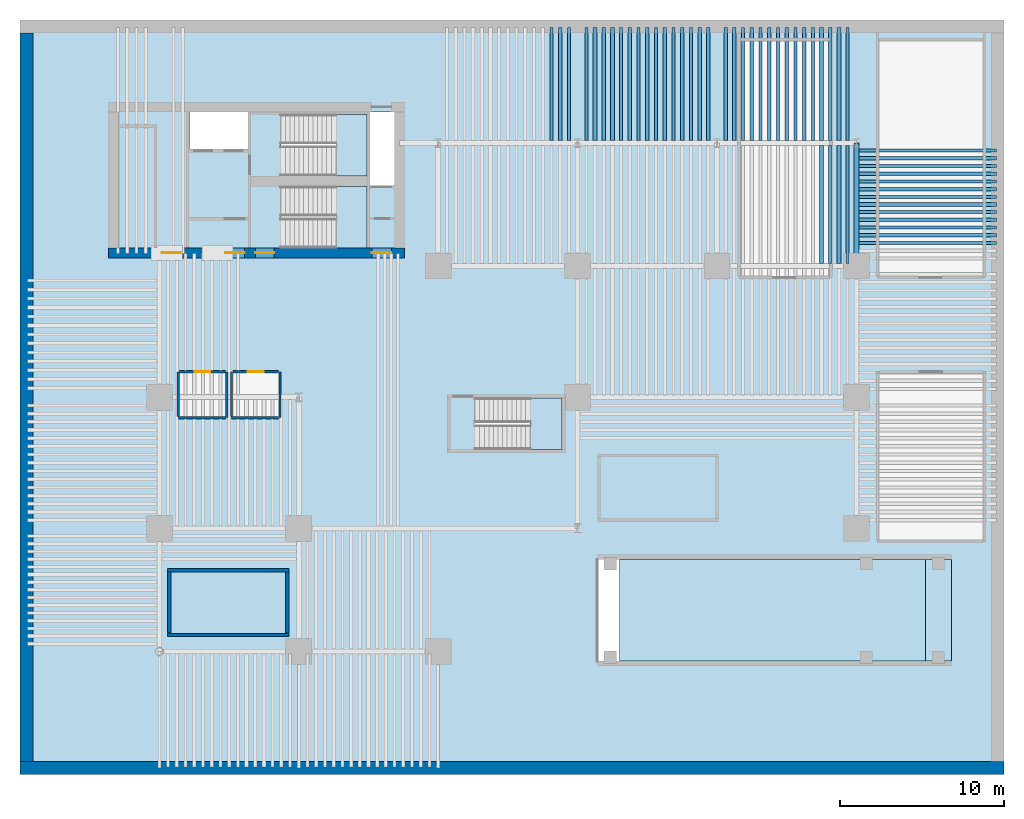
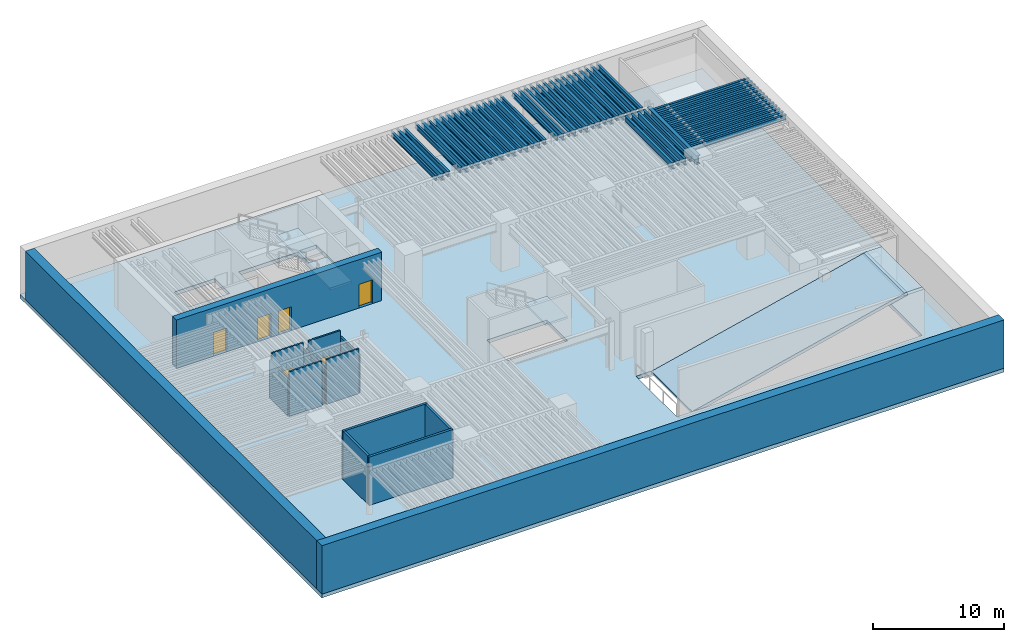
# One storey, part 3 of 9: 51 beams, 15 walls, 6 doors, 6 slabs, 6 openings, 3 elements without a shape of their own.
"""IFC4 building model written with IfcOpenShell, lengths in metres."""

from ifc_helpers import new_model, si_unit, direction, frame, frame_2d, origin, origin_2d, place, context, subcontext, project, spatial, polyline, rectangle, i_section, outline, extrude, material, layer, layer_set, material_profile, profile_set, type_object, element, fill, aggregate, save


model = new_model("IFC4")

# Units and contexts
model_context = context("Model", 3, precision=1e-05, world=origin(), true_north=direction((0.0, 1.0)))
body_context = subcontext(model_context, "Body", "Model", "MODEL_VIEW")
ifc_project = project(units=[si_unit("LENGTHUNIT", "METRE"), si_unit("AREAUNIT", "SQUARE_METRE"), si_unit("VOLUMEUNIT", "CUBIC_METRE"), si_unit("PLANEANGLEUNIT", "RADIAN"), si_unit("MASSUNIT", "GRAM", prefix="KILO")], contexts=[model_context])

# Site, building, storey
site_placement = place(None, origin())
site = spatial("IfcSite", under=ifc_project, at=site_placement, CompositionType="ELEMENT")
building_placement = place(site_placement, origin())
building = spatial("IfcBuilding", under=site, at=building_placement, Name="Caeloran Harvest Quay", CompositionType="ELEMENT")
storey_placement = place(building_placement, frame((0.0, 0.0, -9.0)))
storey = spatial("IfcBuildingStorey", under=building, at=storey_placement, Name="B02", CompositionType="ELEMENT", Elevation=-9.0)

# Beams
ifc_material_1 = material(Name="Steel S355J2", Category="steel")
ifc_material_profile_1 = material_profile(ifc_material_1, i_section(OverallWidth=0.300048828125, OverallDepth=0.800048828125, WebThickness=0.017578125, FlangeThickness=0.032958984375, FilletRadius=0.030029296875, at=origin_2d()), Name="HE 800 B")
ifc_profile_set_1 = profile_set([ifc_material_profile_1], Name="Steel S355J2")
beam_type_1 = type_object("IfcBeamType", Name="BM-PG-1-HE_800_B", PredefinedType="BEAM", material=ifc_profile_set_1)
beam_placement = place(storey_placement, frame((51.0, 31.0, 3.75), z_axis=(0.0, 1.0, 0.0), x_axis=(-1.0, 0.0, 0.0)))
element("IfcBeam", 1, at=beam_placement, inside=storey, type_object=beam_type_1, Name="B02 Primary North-South Girder X=51.0", PredefinedType="BEAM", context=body_context, shape_type="SweptSolid", body=[
    extrude(i_section(OverallWidth=0.300048828125, OverallDepth=0.800048828125, WebThickness=0.017578125, FlangeThickness=0.032958984375, FilletRadius=0.030029296875, at=origin_2d()), origin(), (0.0, 0.0, 1.0), 7.5),
])
ifc_material_profile_2 = material_profile(ifc_material_1, i_section(OverallWidth=0.219970703125, OverallDepth=0.60009765625, WebThickness=0.011962890625, FlangeThickness=0.01904296875, FilletRadius=0.02392578125, at=origin_2d()), Name="IPE 600")
ifc_profile_set_2 = profile_set([ifc_material_profile_2], Name="Steel S355J2")
beam_type_2 = type_object("IfcBeamType", Name="BM-SB-1-IPE_600", PredefinedType="JOIST", material=ifc_profile_set_2)
for number, where, z_axis, x_axis, name in (
    (2, (32.9375, 38.64501953125, 3.85009765625), (0.0, 1.0, 0.0), (-1.0, 0.0, 0.0), "B02 Secondary Composite Joist"),
    (3, (35.0625, 38.64501953125, 3.85009765625), (0.0, 1.0, 0.0), (-1.0, 0.0, 0.0), "B02 Secondary Composite Joist"),
    (4, (36.125, 38.64501953125, 3.85009765625), (0.0, 1.0, 0.0), (-1.0, 0.0, 0.0), "B02 Secondary Composite Joist"),
    (5, (37.1875, 38.64501953125, 3.85009765625), (0.0, 1.0, 0.0), (-1.0, 0.0, 0.0), "B02 Secondary Composite Joist"),
    (6, (38.25, 38.64501953125, 3.85009765625), (0.0, 1.0, 0.0), (-1.0, 0.0, 0.0), "B02 Secondary Composite Joist"),
    (7, (39.3125, 38.64501953125, 3.85009765625), (0.0, 1.0, 0.0), (-1.0, 0.0, 0.0), "B02 Secondary Composite Joist"),
    (8, (40.375, 38.64501953125, 3.85009765625), (0.0, 1.0, 0.0), (-1.0, 0.0, 0.0), "B02 Secondary Composite Joist"),
    (9, (41.4375, 38.64501953125, 3.85009765625), (0.0, 1.0, 0.0), (-1.0, 0.0, 0.0), "B02 Secondary Composite Joist"),
    (10, (43.5625, 38.64501953125, 3.85009765625), (0.0, 1.0, 0.0), (-1.0, 0.0, 0.0), "B02 Secondary Composite Joist"),
    (11, (44.625, 38.64501953125, 3.85009765625), (0.0, 1.0, 0.0), (-1.0, 0.0, 0.0), "B02 Secondary Composite Joist"),
    (12, (45.6875, 38.64501953125, 3.85009765625), (0.0, 1.0, 0.0), (-1.0, 0.0, 0.0), "B02 Secondary Composite Joist"),
    (13, (46.75, 38.64501953125, 3.85009765625), (0.0, 1.0, 0.0), (-1.0, 0.0, 0.0), "B02 Secondary Composite Joist"),
    (14, (47.8125, 38.64501953125, 3.85009765625), (0.0, 1.0, 0.0), (-1.0, 0.0, 0.0), "B02 Secondary Composite Joist"),
    (15, (48.875, 38.64501953125, 3.85009765625), (0.0, 1.0, 0.0), (-1.0, 0.0, 0.0), "B02 Secondary Composite Joist"),
    (16, (49.9375, 38.64501953125, 3.85009765625), (0.0, 1.0, 0.0), (-1.0, 0.0, 0.0), "B02 Secondary Composite Joist"),
):
    element("IfcBeam", number, at=place(storey_placement, frame(where, z_axis=z_axis, x_axis=x_axis)), inside=storey, type_object=beam_type_2, Name=name, PredefinedType="JOIST", context=body_context, shape_type="SweptSolid", body=[
        extrude(i_section(OverallWidth=0.219970703125, OverallDepth=0.60009765625, WebThickness=0.011962890625, FlangeThickness=0.01904296875, FilletRadius=0.02392578125, at=origin_2d()), origin(), (0.0, 0.0, 1.0), 6.905029296875),
    ])
for number, where, z_axis, x_axis, name in (
    (17, (48.875, 31.14501953125, 3.85009765625), (0.0, 1.0, 0.0), (-1.0, 0.0, 0.0), "B02 Secondary Composite Joist"),
    (18, (49.9375, 31.14501953125, 3.85009765625), (0.0, 1.0, 0.0), (-1.0, 0.0, 0.0), "B02 Secondary Composite Joist"),
):
    element("IfcBeam", number, at=place(storey_placement, frame(where, z_axis=z_axis, x_axis=x_axis)), inside=storey, type_object=beam_type_2, Name=name, PredefinedType="JOIST", context=body_context, shape_type="SweptSolid", body=[
        extrude(i_section(OverallWidth=0.219970703125, OverallDepth=0.60009765625, WebThickness=0.011962890625, FlangeThickness=0.01904296875, FilletRadius=0.02392578125, at=origin_2d()), origin(), (0.0, 0.0, 1.0), 7.2099609375),
    ])
for number, where, z_axis, x_axis, name in (
    (19, (51.14501953125, 32.875, 3.85009765625), (1.0, 0.0, 0.0), (0.0, 1.0, 0.0), "B02 Secondary East-West Composite Joist"),
    (20, (51.14501953125, 33.8125, 3.85009765625), (1.0, 0.0, 0.0), (0.0, 1.0, 0.0), "B02 Secondary East-West Composite Joist"),
    (21, (51.14501953125, 34.75, 3.85009765625), (1.0, 0.0, 0.0), (0.0, 1.0, 0.0), "B02 Secondary East-West Composite Joist"),
    (22, (51.14501953125, 35.6875, 3.85009765625), (1.0, 0.0, 0.0), (0.0, 1.0, 0.0), "B02 Secondary East-West Composite Joist"),
    (23, (51.14501953125, 36.625, 3.85009765625), (1.0, 0.0, 0.0), (0.0, 1.0, 0.0), "B02 Secondary East-West Composite Joist"),
    (24, (51.14501953125, 37.5625, 3.85009765625), (1.0, 0.0, 0.0), (0.0, 1.0, 0.0), "B02 Secondary East-West Composite Joist"),
):
    element("IfcBeam", number, at=place(storey_placement, frame(where, z_axis=z_axis, x_axis=x_axis)), inside=storey, type_object=beam_type_2, Name=name, PredefinedType="JOIST", context=body_context, shape_type="SweptSolid", body=[
        extrude(i_section(OverallWidth=0.219970703125, OverallDepth=0.60009765625, WebThickness=0.011962890625, FlangeThickness=0.01904296875, FilletRadius=0.02392578125, at=origin_2d()), origin(), (0.0, 0.0, 1.0), 8.405029296875),
    ])
ifc_material_profile_3 = material_profile(ifc_material_1, i_section(OverallWidth=0.18994140625, OverallDepth=0.449951171875, WebThickness=0.009521484375, FlangeThickness=0.0146484375, FilletRadius=0.02099609375, at=origin_2d()), Name="IPE 450")
ifc_profile_set_3 = profile_set([ifc_material_profile_3], Name="Steel S355J2")
beam_type_3 = type_object("IfcBeamType", Name="BM-SB-3-IPE_450", PredefinedType="JOIST", material=ifc_profile_set_3)
for number, where, z_axis, x_axis, name in (
    (25, (32.40625, 38.64501953125, 3.925048828125), (0.0, 1.0, 0.0), (-1.0, 0.0, 0.0), "B02 Secondary Composite Joist"),
    (26, (33.46875, 38.64501953125, 3.925048828125), (0.0, 1.0, 0.0), (-1.0, 0.0, 0.0), "B02 Secondary Composite Joist"),
    (27, (34.53125, 38.64501953125, 3.925048828125), (0.0, 1.0, 0.0), (-1.0, 0.0, 0.0), "B02 Secondary Composite Joist"),
    (28, (35.59375, 38.64501953125, 3.925048828125), (0.0, 1.0, 0.0), (-1.0, 0.0, 0.0), "B02 Secondary Composite Joist"),
    (29, (36.65625, 38.64501953125, 3.925048828125), (0.0, 1.0, 0.0), (-1.0, 0.0, 0.0), "B02 Secondary Composite Joist"),
    (30, (37.71875, 38.64501953125, 3.925048828125), (0.0, 1.0, 0.0), (-1.0, 0.0, 0.0), "B02 Secondary Composite Joist"),
    (31, (38.78125, 38.64501953125, 3.925048828125), (0.0, 1.0, 0.0), (-1.0, 0.0, 0.0), "B02 Secondary Composite Joist"),
    (32, (39.84375, 38.64501953125, 3.925048828125), (0.0, 1.0, 0.0), (-1.0, 0.0, 0.0), "B02 Secondary Composite Joist"),
    (33, (40.90625, 38.64501953125, 3.925048828125), (0.0, 1.0, 0.0), (-1.0, 0.0, 0.0), "B02 Secondary Composite Joist"),
    (34, (41.96875, 38.64501953125, 3.925048828125), (0.0, 1.0, 0.0), (-1.0, 0.0, 0.0), "B02 Secondary Composite Joist"),
    (35, (43.03125, 38.64501953125, 3.925048828125), (0.0, 1.0, 0.0), (-1.0, 0.0, 0.0), "B02 Secondary Composite Joist"),
    (36, (44.09375, 38.64501953125, 3.925048828125), (0.0, 1.0, 0.0), (-1.0, 0.0, 0.0), "B02 Secondary Composite Joist"),
    (37, (45.15625, 38.64501953125, 3.925048828125), (0.0, 1.0, 0.0), (-1.0, 0.0, 0.0), "B02 Secondary Composite Joist"),
    (38, (46.21875, 38.64501953125, 3.925048828125), (0.0, 1.0, 0.0), (-1.0, 0.0, 0.0), "B02 Secondary Composite Joist"),
    (39, (47.28125, 38.64501953125, 3.925048828125), (0.0, 1.0, 0.0), (-1.0, 0.0, 0.0), "B02 Secondary Composite Joist"),
    (40, (48.34375, 38.64501953125, 3.925048828125), (0.0, 1.0, 0.0), (-1.0, 0.0, 0.0), "B02 Secondary Composite Joist"),
    (41, (49.40625, 38.64501953125, 3.925048828125), (0.0, 1.0, 0.0), (-1.0, 0.0, 0.0), "B02 Secondary Composite Joist"),
    (42, (50.46875, 38.64501953125, 3.925048828125), (0.0, 1.0, 0.0), (-1.0, 0.0, 0.0), "B02 Secondary Composite Joist"),
):
    element("IfcBeam", number, at=place(storey_placement, frame(where, z_axis=z_axis, x_axis=x_axis)), inside=storey, type_object=beam_type_3, Name=name, PredefinedType="JOIST", context=body_context, shape_type="SweptSolid", body=[
        extrude(i_section(OverallWidth=0.18994140625, OverallDepth=0.449951171875, WebThickness=0.009521484375, FlangeThickness=0.0146484375, FilletRadius=0.02099609375, at=origin_2d()), origin(), (0.0, 0.0, 1.0), 6.905029296875),
    ])
for number, where, z_axis, x_axis, name in (
    (43, (49.40625, 31.14501953125, 3.925048828125), (0.0, 1.0, 0.0), (-1.0, 0.0, 0.0), "B02 Secondary Composite Joist"),
    (44, (50.46875, 31.14501953125, 3.925048828125), (0.0, 1.0, 0.0), (-1.0, 0.0, 0.0), "B02 Secondary Composite Joist"),
):
    element("IfcBeam", number, at=place(storey_placement, frame(where, z_axis=z_axis, x_axis=x_axis)), inside=storey, type_object=beam_type_3, Name=name, PredefinedType="JOIST", context=body_context, shape_type="SweptSolid", body=[
        extrude(i_section(OverallWidth=0.18994140625, OverallDepth=0.449951171875, WebThickness=0.009521484375, FlangeThickness=0.0146484375, FilletRadius=0.02099609375, at=origin_2d()), origin(), (0.0, 0.0, 1.0), 7.2099609375),
    ])
for number, where, z_axis, x_axis, name in (
    (45, (51.14501953125, 32.40625, 3.925048828125), (1.0, 0.0, 0.0), (0.0, 1.0, 0.0), "B02 Secondary East-West Composite Joist"),
    (46, (51.14501953125, 33.34375, 3.925048828125), (1.0, 0.0, 0.0), (0.0, 1.0, 0.0), "B02 Secondary East-West Composite Joist"),
    (47, (51.14501953125, 34.28125, 3.925048828125), (1.0, 0.0, 0.0), (0.0, 1.0, 0.0), "B02 Secondary East-West Composite Joist"),
    (48, (51.14501953125, 35.21875, 3.925048828125), (1.0, 0.0, 0.0), (0.0, 1.0, 0.0), "B02 Secondary East-West Composite Joist"),
    (49, (51.14501953125, 36.15625, 3.925048828125), (1.0, 0.0, 0.0), (0.0, 1.0, 0.0), "B02 Secondary East-West Composite Joist"),
    (50, (51.14501953125, 37.09375, 3.925048828125), (1.0, 0.0, 0.0), (0.0, 1.0, 0.0), "B02 Secondary East-West Composite Joist"),
    (51, (51.14501953125, 38.03125, 3.925048828125), (1.0, 0.0, 0.0), (0.0, 1.0, 0.0), "B02 Secondary East-West Composite Joist"),
):
    element("IfcBeam", number, at=place(storey_placement, frame(where, z_axis=z_axis, x_axis=x_axis)), inside=storey, type_object=beam_type_3, Name=name, PredefinedType="JOIST", context=body_context, shape_type="SweptSolid", body=[
        extrude(i_section(OverallWidth=0.18994140625, OverallDepth=0.449951171875, WebThickness=0.009521484375, FlangeThickness=0.0146484375, FilletRadius=0.02099609375, at=origin_2d()), origin(), (0.0, 0.0, 1.0), 8.405029296875),
    ])

# Slabs
ifc_material_2 = material(Name="Concrete C50/60", Category="concrete")
ifc_layer_1 = layer(ifc_material_2, 0.35009765625, Name="Concrete C50/60")
ifc_layer_set_1 = layer_set([ifc_layer_1], Name="Concrete C50/60")
slab_type_1 = type_object("IfcSlabType", Name="SLAB-FS-350", PredefinedType="FLOOR", material=ifc_layer_set_1)
slab_1_placement = place(storey_placement, frame((0.0, 0.0, -0.35009765625)))
element("IfcSlab", 52, at=slab_1_placement, inside=storey, type_object=slab_type_1, Name="B02 Structural Floor Slab", PredefinedType="FLOOR", context=body_context, shape_type="SweptSolid", body=[
    extrude(outline(polyline([(0.0, 0.0), (60.0, 0.0), (60.0, 46.0), (0.0, 46.0), (0.0, 0.0)]), holes=[polyline([(56.800048828125, 13.10009765625), (56.800048828125, 6.89990234375), (35.199951171875, 6.89990234375), (35.199951171875, 13.10009765625), (56.800048828125, 13.10009765625)]), polyline([(27.75, 19.800048828125), (27.75, 22.949951171875), (33.050048828125, 22.949951171875), (33.050048828125, 19.800048828125), (27.75, 19.800048828125)]), polyline([(15.89990234375, 32.10009765625), (15.89990234375, 35.85009765625), (21.14990234375, 35.85009765625), (21.14990234375, 32.10009765625), (15.89990234375, 32.10009765625)]), polyline([(22.830078125, 40.3798828125), (22.830078125, 35.919921875), (21.35009765625, 35.919921875), (21.35009765625, 40.3798828125), (22.830078125, 40.3798828125)]), polyline([(15.89990234375, 36.5), (15.89990234375, 40.25), (21.14990234375, 40.25), (21.14990234375, 36.5), (15.89990234375, 36.5)]), polyline([(13.89990234375, 38.1201171875), (10.320068359375, 38.1201171875), (10.320068359375, 40.3798828125), (13.89990234375, 40.3798828125), (13.89990234375, 38.1201171875)])]), origin(), (0.0, 0.0, 1.0), 0.35009765625),
])
ifc_layer_2 = layer(ifc_material_2, 0.300048828125, Name="Concrete C50/60")
ifc_layer_set_2 = layer_set([ifc_layer_2], Name="Concrete C50/60")
slab_type_2 = type_object("IfcSlabType", Name="SLAB-RL-300", PredefinedType="LANDING", material=ifc_layer_set_2)
slab_2_placement = place(storey_placement, frame((0.0, 0.0, 4.199951171875)))
element("IfcSlab", 53, at=slab_2_placement, inside=storey, type_object=slab_type_2, Name="Car Park Vehicle Ramp VR-1 Transition Landing Slab B02", PredefinedType="LANDING", context=body_context, shape_type="SweptSolid", body=[
    extrude(outline(polyline([(55.199951171875, 6.89990234375), (56.800048828125, 6.89990234375), (56.800048828125, 13.10009765625), (55.199951171875, 13.10009765625), (55.199951171875, 6.89990234375)])), origin(), (0.0, 0.0, 1.0), 0.300048828125),
])
ifc_layer_3 = layer(ifc_material_2, 0.300048828125, Name="Concrete C50/60")
ifc_layer_set_3 = layer_set([ifc_layer_3], Name="Concrete C50/60")
slab_type_3 = type_object("IfcSlabType", Name="SLAB-VR-300", PredefinedType="FLOOR", material=ifc_layer_set_3)
slab_3_placement = place(storey_placement, frame((36.550048828125, 6.89990234375, 0.0), z_axis=(-0.231621659889, 0.0, 0.972805945022), x_axis=(0.972805945022, 0.0, 0.231621659889)))
element("IfcSlab", 54, at=slab_3_placement, inside=storey, type_object=slab_type_3, Name="Car Park Vehicle Ramp Structural Slab VR-1 (B02)", PredefinedType="FLOOR", context=body_context, shape_type="SweptSolid", body=[
    extrude(outline(polyline([(0.0, 0.0), (19.428234829836875, 0.0), (19.428234829836875, 6.2001953125), (0.0, 6.2001953125), (0.0, 0.0)])), origin(), (0.0, 0.0, -1.0), 0.300048828125),
])

# Stair, slab
stair_type_1 = type_object("IfcStairType", Name="STAIR-STC-180", PredefinedType="HALF_TURN_STAIR", material=ifc_material_2)
stair_1_placement = place(storey_placement, origin())
stair_1 = element("IfcStair", 55, at=stair_1_placement, inside=storey, type_object=stair_type_1, Name="B02 Core Pressurized Exit Stair ST-C1", PredefinedType="HALF_TURN_STAIR")
ifc_layer_4 = layer(ifc_material_2, 0.219970703125, Name="Concrete C50/60")
ifc_layer_set_4 = layer_set([ifc_layer_4], Name="Concrete C50/60")
slab_type_4 = type_object("IfcSlabType", Name="STAIR-LANDING-220", PredefinedType="LANDING", material=ifc_layer_set_4)
slab_4_placement = place(storey_placement, frame((0.0, 0.0, 2.050048828125)))
slab_4 = element("IfcSlab", 56, at=slab_4_placement, type_object=slab_type_4, Name="ST-C1 landing 1", PredefinedType="LANDING", context=body_context, shape_type="SweptSolid", body=[
    extrude(outline(polyline([(19.260009765625, 36.5), (21.14990234375, 36.5), (21.14990234375, 40.25), (19.260009765625, 40.25), (19.260009765625, 36.5)])), origin(), (0.0, 0.0, 1.0), 0.199951171875),
])
aggregate(stair_1, [slab_4])

stair_2_placement = place(storey_placement, origin())
stair_2 = element("IfcStair", 57, at=stair_2_placement, inside=storey, type_object=stair_type_1, Name="B02 Core Pressurized Exit Stair ST-C2", PredefinedType="HALF_TURN_STAIR")
slab_5_placement = place(storey_placement, frame((0.0, 0.0, 2.050048828125)))
slab_5 = element("IfcSlab", 58, at=slab_5_placement, type_object=slab_type_4, Name="ST-C2 landing 1", PredefinedType="LANDING", context=body_context, shape_type="SweptSolid", body=[
    extrude(outline(polyline([(19.260009765625, 32.10009765625), (21.14990234375, 32.10009765625), (21.14990234375, 35.85009765625), (19.260009765625, 35.85009765625), (19.260009765625, 32.10009765625)])), origin(), (0.0, 0.0, 1.0), 0.199951171875),
])
aggregate(stair_2, [slab_5])

stair_type_2 = type_object("IfcStairType", Name="STAIR-STW-150", PredefinedType="HALF_TURN_STAIR", material=ifc_material_2)
stair_3_placement = place(storey_placement, origin())
stair_3 = element("IfcStair", 59, at=stair_3_placement, inside=storey, type_object=stair_type_2, Name="B02 East Wing Protected Exit Stair ST-W1", PredefinedType="HALF_TURN_STAIR")
slab_6_placement = place(storey_placement, frame((0.0, 0.0, 2.050048828125)))
slab_6 = element("IfcSlab", 60, at=slab_6_placement, type_object=slab_type_4, Name="ST-W1 landing 1", PredefinedType="LANDING", context=body_context, shape_type="SweptSolid", body=[
    extrude(outline(polyline([(31.110107421875, 19.800048828125), (33.050048828125, 19.800048828125), (33.050048828125, 22.949951171875), (31.110107421875, 22.949951171875), (31.110107421875, 19.800048828125)])), origin(), (0.0, 0.0, 1.0), 0.199951171875),
])
aggregate(stair_3, [slab_6])

# Walls
ifc_material_3 = material(Name="Moisture-Resistant Cement-Board Sanitary Partition", Category="gypsum")
ifc_layer_5 = layer(ifc_material_3, 0.139892578125, Name="Moisture-Resistant Cement-Board Sanitary Partition")
ifc_layer_set_5 = layer_set([ifc_layer_5], Name="Moisture-Resistant Cement-Board Sanitary Partition")
wall_type_1 = type_object("IfcWallType", Name="INT-WALL-PW-140", PredefinedType="PARTITIONING", material=ifc_layer_set_5)
wall_1_placement = place(storey_placement, frame((12.60009765625, 24.550048828125, 0.0), z_axis=(0.0, 0.0, 1.0), x_axis=(0.0, -1.0, 0.0)))
element("IfcWall", 61, at=wall_1_placement, inside=storey, type_object=wall_type_1, Name="B02 Car Park Male Washroom WC Partition Wall", PredefinedType="PARTITIONING", context=body_context, shape_type="SweptSolid", body=[
    extrude(rectangle(XDim=2.800048828125, YDim=0.139892578125, at=frame_2d((1.39990234375, 0.0))), origin(), (0.0, 0.0, 1.0), 3.534912109375),
])
wall_2_placement = place(storey_placement, frame((12.52490234375, 21.75, 0.0), z_axis=(0.0, 0.0, 1.0), x_axis=(-1.0, 0.0, 0.0)))
element("IfcWall", 62, at=wall_2_placement, inside=storey, type_object=wall_type_1, Name="B02 Car Park Male Washroom WC Partition Wall", PredefinedType="PARTITIONING", context=body_context, shape_type="SweptSolid", body=[
    extrude(rectangle(XDim=2.875, YDim=0.139892578125, at=frame_2d((1.4375, 0.0))), origin(), (0.0, 0.0, 1.0), 4.14990234375),
])
wall_3_placement = place(storey_placement, frame((9.64990234375, 21.824951171875, 0.0), z_axis=(0.0, 0.0, 1.0), x_axis=(0.0, 1.0, 0.0)))
element("IfcWall", 63, at=wall_3_placement, inside=storey, type_object=wall_type_1, Name="B02 Car Park Male Washroom WC Partition Wall", PredefinedType="PARTITIONING", context=body_context, shape_type="SweptSolid", body=[
    extrude(rectangle(XDim=2.72509765625, YDim=0.139892578125, at=frame_2d((1.362548828125, 0.0))), origin(), (0.0, 0.0, 1.0), 3.534912109375),
])

# Wall, opening, door
wall_4_placement = place(storey_placement, frame((9.72509765625, 24.550048828125, 0.0), z_axis=(0.0, 0.0, 1.0), x_axis=(1.0, 0.0, 0.0)))
wall_4 = element("IfcWall", 64, at=wall_4_placement, inside=storey, type_object=wall_type_1, Name="B02 Car Park Male Washroom WC Partition Wall", PredefinedType="PARTITIONING", context=body_context, shape_type="SweptSolid", body=[
    extrude(rectangle(XDim=2.7998046875, YDim=0.139892578125, at=frame_2d((1.39990234375, 0.0))), origin(), (0.0, 0.0, 1.0), 4.14990234375),
])
opening_1_placement = place(wall_4_placement, frame((0.925048828125, 0.0, 0.0)))
opening_1 = element("IfcOpeningElement", 65, at=opening_1_placement, cuts=wall_4, Name="Opening WC-01", PredefinedType="OPENING", context=body_context, shape_type="SweptSolid", body=[
    extrude(rectangle(XDim=0.949951171875, YDim=2.14990234375, at=frame_2d((0.47509765625, 1.074951171875))), frame((0.0, 0.080078125, 0.0), z_axis=(0.0, -1.0, 0.0), x_axis=(1.0, 0.0, 0.0)), (0.0, 0.0, 1.0), 0.159912109375),
])
ifc_material_4 = material(Name="High-Pressure Laminate Moisture-Resistant Timber", Category="wood")
door_type_1 = type_object("IfcDoorType", Name="INTDOOR-WC-01", OperationType="NOTDEFINED", PredefinedType="DOOR", material=ifc_material_4)
door_1_placement = place(opening_1_placement, origin())
door_1 = element("IfcDoor", 66, at=door_1_placement, inside=storey, type_object=door_type_1, Name="B02 Car Park Male Washroom WC Access Door", OperationType="SINGLE_SWING_LEFT", OverallHeight=2.14990234375, OverallWidth=0.949951171875, PredefinedType="DOOR", context=body_context, shape_type="SweptSolid", body=[
    extrude(rectangle(XDim=0.949951171875, YDim=2.14990234375, at=frame_2d((0.47509765625, 1.074951171875))), frame((0.0, 0.02490234375, 0.0), z_axis=(0.0, -1.0, 0.0), x_axis=(1.0, 0.0, 0.0)), (0.0, 0.0, 1.0), 0.050048828125),
])
fill(opening_1, door_1)

# Walls
wall_5_placement = place(storey_placement, frame((15.85009765625, 24.550048828125, 0.0), z_axis=(0.0, 0.0, 1.0), x_axis=(0.0, -1.0, 0.0)))
element("IfcWall", 67, at=wall_5_placement, inside=storey, type_object=wall_type_1, Name="B02 Accessible Unisex Washroom WC Partition Wall", PredefinedType="PARTITIONING", context=body_context, shape_type="SweptSolid", body=[
    extrude(rectangle(XDim=2.800048828125, YDim=0.139892578125, at=frame_2d((1.39990234375, 0.0))), origin(), (0.0, 0.0, 1.0), 3.534912109375),
])
wall_6_placement = place(storey_placement, frame((15.77490234375, 21.75, 0.0), z_axis=(0.0, 0.0, 1.0), x_axis=(-1.0, 0.0, 0.0)))
element("IfcWall", 68, at=wall_6_placement, inside=storey, type_object=wall_type_1, Name="B02 Accessible Unisex Washroom WC Partition Wall", PredefinedType="PARTITIONING", context=body_context, shape_type="SweptSolid", body=[
    extrude(rectangle(XDim=2.875, YDim=0.139892578125, at=frame_2d((1.4375, 0.0))), origin(), (0.0, 0.0, 1.0), 4.14990234375),
])
wall_7_placement = place(storey_placement, frame((12.89990234375, 21.824951171875, 0.0), z_axis=(0.0, 0.0, 1.0), x_axis=(0.0, 1.0, 0.0)))
element("IfcWall", 69, at=wall_7_placement, inside=storey, type_object=wall_type_1, Name="B02 Accessible Unisex Washroom WC Partition Wall", PredefinedType="PARTITIONING", context=body_context, shape_type="SweptSolid", body=[
    extrude(rectangle(XDim=2.72509765625, YDim=0.139892578125, at=frame_2d((1.362548828125, 0.0))), origin(), (0.0, 0.0, 1.0), 3.534912109375),
])

# Wall, opening, door
wall_8_placement = place(storey_placement, frame((12.97509765625, 24.550048828125, 0.0), z_axis=(0.0, 0.0, 1.0), x_axis=(1.0, 0.0, 0.0)))
wall_8 = element("IfcWall", 70, at=wall_8_placement, inside=storey, type_object=wall_type_1, Name="B02 Accessible Unisex Washroom WC Partition Wall", PredefinedType="PARTITIONING", context=body_context, shape_type="SweptSolid", body=[
    extrude(rectangle(XDim=2.7998046875, YDim=0.139892578125, at=frame_2d((1.39990234375, 0.0))), origin(), (0.0, 0.0, 1.0), 4.14990234375),
])
opening_2_placement = place(wall_8_placement, frame((0.925048828125, 0.0, 0.0)))
opening_2 = element("IfcOpeningElement", 71, at=opening_2_placement, cuts=wall_8, Name="Opening WC-01", PredefinedType="OPENING", context=body_context, shape_type="SweptSolid", body=[
    extrude(rectangle(XDim=0.949951171875, YDim=2.14990234375, at=frame_2d((0.47509765625, 1.074951171875))), frame((0.0, 0.080078125, 0.0), z_axis=(0.0, -1.0, 0.0), x_axis=(1.0, 0.0, 0.0)), (0.0, 0.0, 1.0), 0.159912109375),
])
door_2_placement = place(opening_2_placement, origin())
door_2 = element("IfcDoor", 72, at=door_2_placement, inside=storey, type_object=door_type_1, Name="B02 Accessible Unisex Washroom WC Access Door", OperationType="SINGLE_SWING_RIGHT", OverallHeight=2.14990234375, OverallWidth=0.949951171875, PredefinedType="DOOR", context=body_context, shape_type="SweptSolid", body=[
    extrude(rectangle(XDim=0.949951171875, YDim=2.14990234375, at=frame_2d((0.47509765625, 1.074951171875))), frame((0.0, 0.02490234375, 0.0), z_axis=(0.0, -1.0, 0.0), x_axis=(1.0, 0.0, 0.0)), (0.0, 0.0, 1.0), 0.050048828125),
])
fill(opening_2, door_2)

# Wall, openings, doors
ifc_material_5 = material(Name="Concrete C80/95", Category="concrete")
ifc_layer_6 = layer(ifc_material_5, 0.60009765625, Name="Concrete C80/95")
ifc_layer_set_6 = layer_set([ifc_layer_6], Name="Concrete C80/95")
wall_type_2 = type_object("IfcWallType", Name="STR-WALL-CW-600", PredefinedType="SHEAR", material=ifc_layer_set_6)
wall_9_placement = place(storey_placement, frame((5.39990234375, 31.800048828125, 0.0), z_axis=(0.0, 0.0, 1.0), x_axis=(1.0, 0.0, 0.0)))
wall_9 = element("IfcWall", 73, at=wall_9_placement, inside=storey, type_object=wall_type_2, Name="B02 Rear Core Shear Wall S", PredefinedType="SHEAR", context=body_context, shape_type="SweptSolid", body=[
    extrude(rectangle(XDim=18.050048828125, YDim=0.60009765625, at=frame_2d((9.02490234375, 0.0))), origin(), (0.0, 0.0, 1.0), 4.5),
])
opening_3_placement = place(wall_9_placement, frame((3.25, 0.0, 0.0)))
opening_3 = element("IfcOpeningElement", 74, at=opening_3_placement, cuts=wall_9, Name="Opening FD-01", PredefinedType="OPENING", context=body_context, shape_type="SweptSolid", body=[
    extrude(rectangle(XDim=1.199951171875, YDim=2.199951171875, at=frame_2d((0.60009765625, 1.10009765625))), frame((0.0, 0.31005859375, 0.0), z_axis=(0.0, -1.0, 0.0), x_axis=(1.0, 0.0, 0.0)), (0.0, 0.0, 1.0), 0.6201171875),
])
opening_4_placement = place(wall_9_placement, frame((7.10009765625, 0.0, 0.0)))
opening_4 = element("IfcOpeningElement", 75, at=opening_4_placement, cuts=wall_9, Name="Opening FD-01", PredefinedType="OPENING", context=body_context, shape_type="SweptSolid", body=[
    extrude(rectangle(XDim=1.199951171875, YDim=2.199951171875, at=frame_2d((0.60009765625, 1.10009765625))), frame((0.0, 0.31005859375, 0.0), z_axis=(0.0, -1.0, 0.0), x_axis=(1.0, 0.0, 0.0)), (0.0, 0.0, 1.0), 0.6201171875),
])
opening_5_placement = place(wall_9_placement, frame((8.949951171875, 0.0, 0.0)))
opening_5 = element("IfcOpeningElement", 76, at=opening_5_placement, cuts=wall_9, Name="Opening SD-01", PredefinedType="OPENING", context=body_context, shape_type="SweptSolid", body=[
    extrude(rectangle(XDim=1.14990234375, YDim=2.199951171875, at=frame_2d((0.574951171875, 1.10009765625))), frame((0.0, 0.31005859375, 0.0), z_axis=(0.0, -1.0, 0.0), x_axis=(1.0, 0.0, 0.0)), (0.0, 0.0, 1.0), 0.6201171875),
])
opening_6_placement = place(wall_9_placement, frame((16.050048828125, 0.0, 0.0)))
opening_6 = element("IfcOpeningElement", 77, at=opening_6_placement, cuts=wall_9, Name="Opening FD-01", PredefinedType="OPENING", context=body_context, shape_type="SweptSolid", body=[
    extrude(rectangle(XDim=1.199951171875, YDim=2.199951171875, at=frame_2d((0.60009765625, 1.10009765625))), frame((0.0, 0.31005859375, 0.0), z_axis=(0.0, -1.0, 0.0), x_axis=(1.0, 0.0, 0.0)), (0.0, 0.0, 1.0), 0.6201171875),
])
ifc_material_6 = material(Name="Steel", Category="steel")
door_type_2 = type_object("IfcDoorType", Name="INTDOOR-FD-01", OperationType="NOTDEFINED", PredefinedType="DOOR", material=ifc_material_6)
door_3_placement = place(opening_3_placement, origin())
door_3 = element("IfcDoor", 78, at=door_3_placement, inside=storey, type_object=door_type_2, Name="B02 High-Rise Lift Lobby Fire Door", OperationType="SINGLE_SWING_LEFT", OverallHeight=2.199951171875, OverallWidth=1.199951171875, PredefinedType="DOOR", context=body_context, shape_type="SweptSolid", body=[
    extrude(rectangle(XDim=1.199951171875, YDim=2.199951171875, at=frame_2d((0.60009765625, 1.10009765625))), frame((0.0, 0.02490234375, 0.0), z_axis=(0.0, -1.0, 0.0), x_axis=(1.0, 0.0, 0.0)), (0.0, 0.0, 1.0), 0.050048828125),
])
fill(opening_3, door_3)
door_4_placement = place(opening_4_placement, origin())
door_4 = element("IfcDoor", 79, at=door_4_placement, inside=storey, type_object=door_type_2, Name="B02 Firefighting Lobby Vestibule Fire Door", OperationType="SINGLE_SWING_RIGHT", OverallHeight=2.199951171875, OverallWidth=1.199951171875, PredefinedType="DOOR", context=body_context, shape_type="SweptSolid", body=[
    extrude(rectangle(XDim=1.199951171875, YDim=2.199951171875, at=frame_2d((0.60009765625, 1.10009765625))), frame((0.0, 0.02490234375, 0.0), z_axis=(0.0, -1.0, 0.0), x_axis=(1.0, 0.0, 0.0)), (0.0, 0.0, 1.0), 0.050048828125),
])
fill(opening_4, door_4)
door_5_placement = place(opening_6_placement, origin())
door_5 = element("IfcDoor", 80, at=door_5_placement, inside=storey, type_object=door_type_2, Name="B02 Service Lift Lobby Fire Door", OperationType="SINGLE_SWING_RIGHT", OverallHeight=2.199951171875, OverallWidth=1.199951171875, PredefinedType="DOOR", context=body_context, shape_type="SweptSolid", body=[
    extrude(rectangle(XDim=1.199951171875, YDim=2.199951171875, at=frame_2d((0.60009765625, 1.10009765625))), frame((0.0, 0.02490234375, 0.0), z_axis=(0.0, -1.0, 0.0), x_axis=(1.0, 0.0, 0.0)), (0.0, 0.0, 1.0), 0.050048828125),
])
fill(opening_6, door_5)
door_type_3 = type_object("IfcDoorType", Name="INTDOOR-SD-01", OperationType="NOTDEFINED", PredefinedType="DOOR", material=ifc_material_6)
door_6_placement = place(opening_5_placement, origin())
door_6 = element("IfcDoor", 81, at=door_6_placement, inside=storey, type_object=door_type_3, Name="B02 Protected Stair ST-C2 Exit Door", OperationType="SINGLE_SWING_LEFT", OverallHeight=2.199951171875, OverallWidth=1.14990234375, PredefinedType="DOOR", context=body_context, shape_type="SweptSolid", body=[
    extrude(rectangle(XDim=1.14990234375, YDim=2.199951171875, at=frame_2d((0.574951171875, 1.10009765625))), frame((0.0, 0.02490234375, 0.0), z_axis=(0.0, -1.0, 0.0), x_axis=(1.0, 0.0, 0.0)), (0.0, 0.0, 1.0), 0.050048828125),
])
fill(opening_5, door_6)

# Walls
ifc_material_7 = material(Name="Concrete C60/75", Category="concrete")
ifc_layer_7 = layer(ifc_material_7, 0.800048828125, Name="Concrete C60/75")
ifc_layer_set_7 = layer_set([ifc_layer_7], Name="Concrete C60/75")
wall_type_3 = type_object("IfcWallType", Name="STR-WALL-DW-800", PredefinedType="USERDEFINED", material=ifc_layer_set_7)
wall_10_placement = place(storey_placement, frame((0.0, 0.39990234375, 0.0), z_axis=(0.0, 0.0, 1.0), x_axis=(1.0, 0.0, 0.0)))
element("IfcWall", 82, at=wall_10_placement, inside=storey, type_object=wall_type_3, Name="B02 Basement Diaphragm Retaining Wall S 800 mm", ObjectType="RETAININGWALL", PredefinedType="USERDEFINED", context=body_context, shape_type="SweptSolid", body=[
    extrude(rectangle(XDim=60.0, YDim=0.800048828125, at=frame_2d((30.0, 0.0))), origin(), (0.0, 0.0, 1.0), 4.5),
])
wall_11_placement = place(storey_placement, frame((0.39990234375, 0.800048828125, 0.0), z_axis=(0.0, 0.0, 1.0), x_axis=(0.0, 1.0, 0.0)))
element("IfcWall", 83, at=wall_11_placement, inside=storey, type_object=wall_type_3, Name="B02 Basement Diaphragm Retaining Wall W 800 mm", ObjectType="RETAININGWALL", PredefinedType="USERDEFINED", context=body_context, shape_type="SweptSolid", body=[
    extrude(rectangle(XDim=44.39990234375, YDim=0.800048828125, at=frame_2d((22.199951171875, 0.0))), origin(), (0.0, 0.0, 1.0), 4.5),
])
ifc_layer_8 = layer(ifc_material_7, 0.199951171875, Name="Concrete C60/75")
ifc_layer_set_8 = layer_set([ifc_layer_8], Name="Concrete C60/75")
wall_type_4 = type_object("IfcWallType", Name="STR-WALL-SW-200", PredefinedType="SHEAR", material=ifc_layer_set_8)
for number, where, z_axis, x_axis, name in (
    (84, (9.0, 8.5, 0.0), (0.0, 0.0, 1.0), (1.0, 0.0, 0.0), "B02 Stair ST-P1 S RC Shaft Shear Wall"),
    (85, (9.0, 12.449951171875, 0.0), (0.0, 0.0, 1.0), (1.0, 0.0, 0.0), "B02 Stair ST-P1 N RC Shaft Shear Wall"),
):
    element("IfcWall", number, at=place(storey_placement, frame(where, z_axis=z_axis, x_axis=x_axis)), inside=storey, type_object=wall_type_4, Name=name, PredefinedType="SHEAR", context=body_context, shape_type="SweptSolid", body=[
        extrude(rectangle(XDim=7.39990234375, YDim=0.199951171875, at=frame_2d((3.699951171875, 0.0))), origin(), (0.0, 0.0, 1.0), 4.5),
    ])
for number, where, z_axis, x_axis, name in (
    (86, (9.10009765625, 8.610107421875, 0.0), (0.0, 0.0, 1.0), (0.0, 1.0, 0.0), "B02 Stair ST-P1 W RC Shaft Shear Wall"),
    (87, (16.300048828125, 8.610107421875, 0.0), (0.0, 0.0, 1.0), (0.0, 1.0, 0.0), "B02 Stair ST-P1 E RC Shaft Shear Wall"),
):
    element("IfcWall", number, at=place(storey_placement, frame(where, z_axis=z_axis, x_axis=x_axis)), inside=storey, type_object=wall_type_4, Name=name, PredefinedType="SHEAR", context=body_context, shape_type="SweptSolid", body=[
        extrude(rectangle(XDim=3.72998046875, YDim=0.199951171875, at=frame_2d((1.864990234375, 0.0))), origin(), (0.0, 0.0, 1.0), 4.5),
    ])

save(model, "model.ifc")
